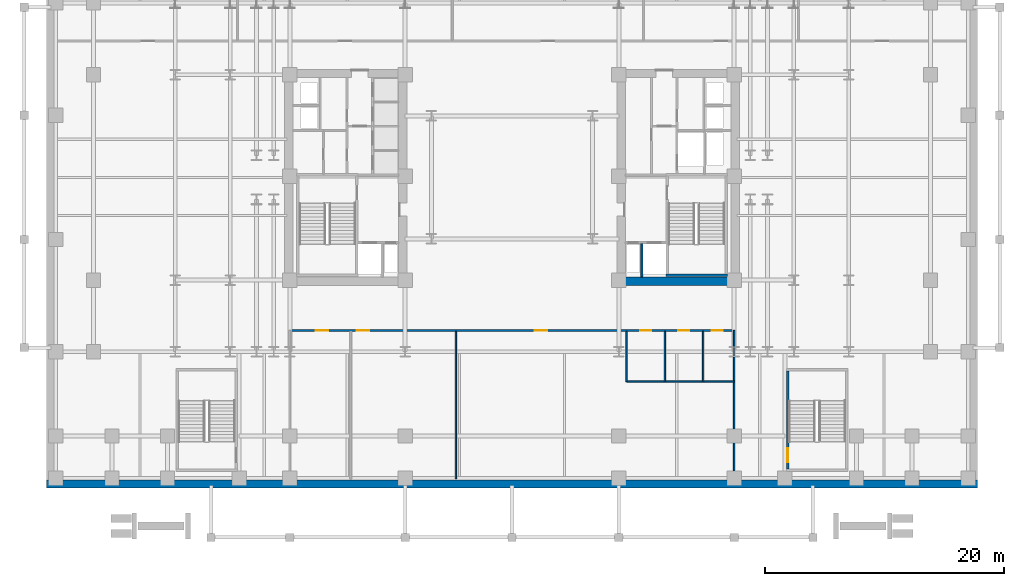
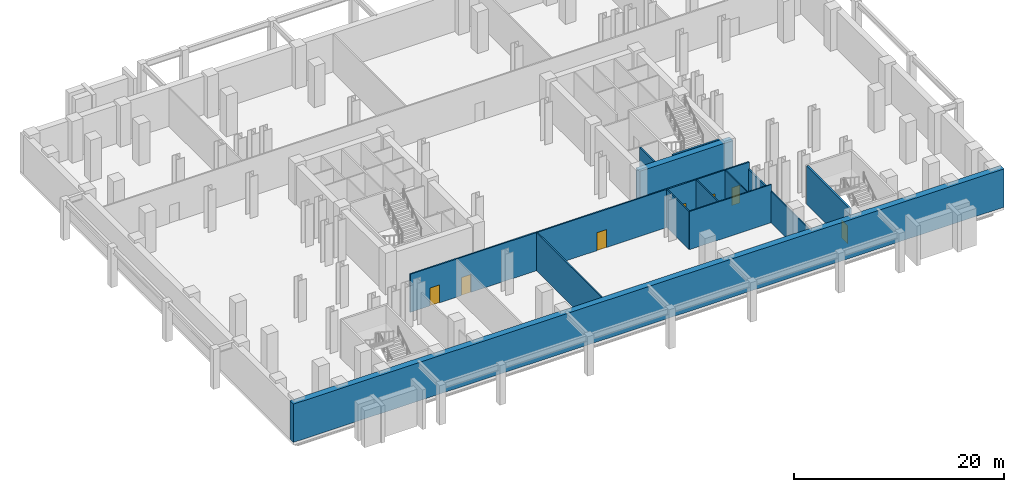
# One storey, part 7 of 13: 12 walls, 7 doors, 7 openings.
"""IFC4 building model written with IfcOpenShell, lengths in metres."""

from ifc_helpers import new_model, si_unit, direction, frame, frame_2d, origin, place, context, subcontext, project, spatial, rectangle, extrude, material, layer, layer_set, type_object, element, fill, save


model = new_model("IFC4")

# Units and contexts
model_context = context("Model", 3, precision=1e-05, world=origin(), true_north=direction((0.0, 1.0)))
body_context = subcontext(model_context, "Body", "Model", "MODEL_VIEW")
ifc_project = project(units=[si_unit("LENGTHUNIT", "METRE"), si_unit("AREAUNIT", "SQUARE_METRE"), si_unit("VOLUMEUNIT", "CUBIC_METRE"), si_unit("PLANEANGLEUNIT", "RADIAN"), si_unit("MASSUNIT", "GRAM", prefix="KILO")], contexts=[model_context])

# Site, building, storey
site_placement = place(None, origin())
site = spatial("IfcSite", under=ifc_project, at=site_placement, CompositionType="ELEMENT")
building_placement = place(site_placement, origin())
building = spatial("IfcBuilding", under=site, at=building_placement, Name="Velakula Bourse", CompositionType="ELEMENT")
storey_placement = place(building_placement, frame((0.0, 0.0, -4.800048828125)))
storey = spatial("IfcBuildingStorey", under=building, at=storey_placement, Name="B01", CompositionType="ELEMENT", Elevation=-4.800048828125)

# Wall
ifc_material_1 = material(Name="Concrete M50 (fck 50 MPa)", Category="concrete")
ifc_layer_1 = layer(ifc_material_1, 0.2099609375, Name="Concrete M50 (fck 50 MPa)", Category="concrete")
ifc_layer_set_1 = layer_set([ifc_layer_1], Name="Concrete M50 (fck 50 MPa)")
wall_type_1 = type_object("IfcWallType", Name="WL-CORE-210", PredefinedType="SHEAR", material=ifc_layer_set_1)
wall_1_placement = place(storey_placement, frame((12.889892578125, -8.205078125, 0.0), z_axis=(0.0, 0.0, 1.0), x_axis=(1.0, 0.0, 0.0)))
element("IfcWall", 1, at=wall_1_placement, inside=storey, type_object=wall_type_1, Name="B01 Core E Stairwell Shear Wall S", PredefinedType="SHEAR", context=body_context, shape_type="SweptSolid", body=[
    extrude(rectangle(XDim=5.14013671875, YDim=0.2099609375, at=frame_2d((2.570068359375, 0.0))), origin(), (0.0, 0.0, 1.0), 4.449951171875),
])

# Wall, opening, door
wall_2_placement = place(storey_placement, frame((23.094970703125, -24.39990234375, 0.0), z_axis=(0.0, 0.0, 1.0), x_axis=(0.0, 1.0, 0.0)))
wall_2 = element("IfcWall", 2, at=wall_2_placement, inside=storey, type_object=wall_type_1, Name="B01 Podium Stair ST-P2 Shear Wall W", PredefinedType="SHEAR", context=body_context, shape_type="SweptSolid", body=[
    extrude(rectangle(XDim=8.199951171875, YDim=0.2099609375, at=frame_2d((4.10009765625, 0.0))), origin(), (0.0, 0.0, 1.0), 4.449951171875),
])
opening_1_placement = place(wall_2_placement, frame((0.550048828125, 0.0, 0.0)))
opening_1 = element("IfcOpeningElement", 3, at=opening_1_placement, cuts=wall_2, Name="Opening D-P2", PredefinedType="OPENING", context=body_context, shape_type="SweptSolid", body=[
    extrude(rectangle(XDim=1.14990234375, YDim=2.10009765625, at=frame_2d((0.574951171875, 1.050048828125))), frame((0.0, 0.114990234375, 0.0), z_axis=(0.0, -1.0, 0.0), x_axis=(1.0, 0.0, 0.0)), (0.0, 0.0, 1.0), 0.22998046875),
])
ifc_material_2 = material(Name="Galvanised painted hollow steel fire door", Category="steel")
door_type_1 = type_object("IfcDoorType", Name="DR-FD120-1150x2100", OperationType="NOTDEFINED", PredefinedType="DOOR", material=ifc_material_2)
door_1_placement = place(opening_1_placement, origin())
door_1 = element("IfcDoor", 4, at=door_1_placement, inside=storey, type_object=door_type_1, Name="B01 Stair ST-P2 Fire Door", OperationType="SINGLE_SWING_RIGHT", OverallHeight=2.10009765625, OverallWidth=1.14990234375, PredefinedType="DOOR", context=body_context, shape_type="SweptSolid", body=[
    extrude(rectangle(XDim=1.14990234375, YDim=2.10009765625, at=frame_2d((0.574951171875, 1.050048828125))), frame((0.0, 0.02490234375, 0.0), z_axis=(0.0, -1.0, 0.0), x_axis=(1.0, 0.0, 0.0)), (0.0, 0.0, 1.0), 0.050048828125),
])
fill(opening_1, door_1)

# Walls
ifc_material_3 = material(Name="Concrete M70 (fck 70 MPa)", Category="concrete")
ifc_layer_2 = layer(ifc_material_3, 0.699951171875, Name="Concrete M70 (fck 70 MPa)", Category="concrete")
ifc_layer_set_2 = layer_set([ifc_layer_2], Name="Concrete M70 (fck 70 MPa)")
wall_type_2 = type_object("IfcWallType", Name="WL-CORE-700", PredefinedType="SHEAR", material=ifc_layer_set_2)
wall_3_placement = place(storey_placement, frame((8.800048828125, -8.699951171875, 0.0), z_axis=(0.0, 0.0, 1.0), x_axis=(1.0, 0.0, 0.0)))
element("IfcWall", 5, at=wall_3_placement, inside=storey, type_object=wall_type_2, Name="B01 Core E Shear Wall S", PredefinedType="SHEAR", context=body_context, shape_type="SweptSolid", body=[
    extrude(rectangle(XDim=10.25, YDim=0.699951171875, at=frame_2d((5.125, 0.0))), origin(), (0.0, 0.0, 1.0), 4.449951171875),
])
ifc_material_4 = material(Name="Fire-rated double-layer gypsum drywall partition", Category="gypsum")
ifc_layer_3 = layer(ifc_material_4, 0.139892578125, Name="Fire-rated double-layer gypsum drywall partition", Category="gypsum")
ifc_layer_set_3 = layer_set([ifc_layer_3], Name="Fire-rated double-layer gypsum drywall partition")
wall_type_3 = type_object("IfcWallType", Name="WL-PART-140", PredefinedType="STANDARD", material=ifc_layer_set_3)
wall_4_placement = place(storey_placement, frame((18.60009765625, -25.239990234375, 0.0), z_axis=(0.0, 0.0, 1.0), x_axis=(0.0, 1.0, 0.0)))
element("IfcWall", 6, at=wall_4_placement, inside=storey, type_object=wall_type_3, Name="B01 Interior Partition WL-POD-B01-SE-END", PredefinedType="STANDARD", context=body_context, shape_type="SweptSolid", body=[
    extrude(rectangle(XDim=12.419921875, YDim=0.139892578125, at=frame_2d((6.2099609375, 0.0))), origin(), (0.0, 0.0, 1.0), 3.625),
])

# Wall, openings, doors
wall_5_placement = place(storey_placement, frame((-18.60009765625, -12.820068359375, 0.0), z_axis=(0.0, 0.0, 1.0), x_axis=(1.0, 0.0, 0.0)))
wall_5 = element("IfcWall", 7, at=wall_5_placement, inside=storey, type_object=wall_type_3, Name="B01 Interior Partition WL-POD-B01-S-CORR", PredefinedType="STANDARD", context=body_context, shape_type="SweptSolid", body=[
    extrude(rectangle(XDim=37.2001953125, YDim=0.14990234375, at=frame_2d((18.60009765625, 0.0))), origin(), (0.0, 0.0, 1.0), 4.429931640625),
])
opening_2_placement = place(wall_5_placement, frame((29.340087890625, 0.0, 0.0)))
opening_2 = element("IfcOpeningElement", 8, at=opening_2_placement, cuts=wall_5, Name="Opening D-WT1", PredefinedType="OPENING", context=body_context, shape_type="SweptSolid", body=[
    extrude(rectangle(XDim=0.919921875, YDim=2.080078125, at=frame_2d((0.4599609375, 1.0400390625))), frame((0.0, 0.0849609375, 0.0), z_axis=(0.0, -1.0, 0.0), x_axis=(1.0, 0.0, 0.0)), (0.0, 0.0, 1.0), 0.169921875),
])
opening_3_placement = place(wall_5_placement, frame((32.5400390625, 0.0, 0.0)))
opening_3 = element("IfcOpeningElement", 9, at=opening_3_placement, cuts=wall_5, Name="Opening D-WT1", PredefinedType="OPENING", context=body_context, shape_type="SweptSolid", body=[
    extrude(rectangle(XDim=0.919921875, YDim=2.080078125, at=frame_2d((0.4599609375, 1.0400390625))), frame((0.0, 0.0849609375, 0.0), z_axis=(0.0, -1.0, 0.0), x_axis=(1.0, 0.0, 0.0)), (0.0, 0.0, 1.0), 0.169921875),
])
opening_4_placement = place(wall_5_placement, frame((35.31396484375, 0.0, 0.0)))
opening_4 = element("IfcOpeningElement", 10, at=opening_4_placement, cuts=wall_5, Name="Opening D-WC1", PredefinedType="OPENING", context=body_context, shape_type="SweptSolid", body=[
    extrude(rectangle(XDim=0.919921875, YDim=2.080078125, at=frame_2d((0.4599609375, 1.0400390625))), frame((0.0, 0.0849609375, 0.0), z_axis=(0.0, -1.0, 0.0), x_axis=(1.0, 0.0, 0.0)), (0.0, 0.0, 1.0), 0.169921875),
])
opening_5_placement = place(wall_5_placement, frame((2.15087890625, 0.0, 0.0)))
opening_5 = element("IfcOpeningElement", 11, at=opening_5_placement, cuts=wall_5, Name="Opening D-PD2", PredefinedType="OPENING", context=body_context, shape_type="SweptSolid", body=[
    extrude(rectangle(XDim=1.050048828125, YDim=2.080078125, at=frame_2d((0.52490234375, 1.0400390625))), frame((0.0, 0.0849609375, 0.0), z_axis=(0.0, -1.0, 0.0), x_axis=(1.0, 0.0, 0.0)), (0.0, 0.0, 1.0), 0.169921875),
])
opening_6_placement = place(wall_5_placement, frame((5.60302734375, 0.0, 0.0)))
opening_6 = element("IfcOpeningElement", 12, at=opening_6_placement, cuts=wall_5, Name="Opening D-PD2", PredefinedType="OPENING", context=body_context, shape_type="SweptSolid", body=[
    extrude(rectangle(XDim=1.050048828125, YDim=2.080078125, at=frame_2d((0.52490234375, 1.0400390625))), frame((0.0, 0.0849609375, 0.0), z_axis=(0.0, -1.0, 0.0), x_axis=(1.0, 0.0, 0.0)), (0.0, 0.0, 1.0), 0.169921875),
])
opening_7_placement = place(wall_5_placement, frame((20.4951171875, 0.0, 0.0)))
opening_7 = element("IfcOpeningElement", 13, at=opening_7_placement, cuts=wall_5, Name="Opening D-PD2", PredefinedType="OPENING", context=body_context, shape_type="SweptSolid", body=[
    extrude(rectangle(XDim=1.050048828125, YDim=2.080078125, at=frame_2d((0.52490234375, 1.0400390625))), frame((0.0, 0.0849609375, 0.0), z_axis=(0.0, -1.0, 0.0), x_axis=(1.0, 0.0, 0.0)), (0.0, 0.0, 1.0), 0.169921875),
])
ifc_material_5 = material(Name="Fire-rated hardwood flush architectural door", Category="wood")
door_type_2 = type_object("IfcDoorType", Name="DR-OFF-1050", OperationType="NOTDEFINED", PredefinedType="DOOR", material=ifc_material_5)
door_2_placement = place(opening_5_placement, origin())
door_2 = element("IfcDoor", 14, at=door_2_placement, inside=storey, type_object=door_type_2, Name="B01 Metro Unpaid Fare-Gate Foyer Door", OperationType="SINGLE_SWING_LEFT", OverallHeight=2.080078125, OverallWidth=1.050048828125, PredefinedType="DOOR", context=body_context, shape_type="SweptSolid", body=[
    extrude(rectangle(XDim=1.050048828125, YDim=2.080078125, at=frame_2d((0.52490234375, 1.0400390625))), frame((0.0, 0.02490234375, 0.0), z_axis=(0.0, -1.0, 0.0), x_axis=(1.0, 0.0, 0.0)), (0.0, 0.0, 1.0), 0.050048828125),
])
fill(opening_5, door_2)
door_3_placement = place(opening_6_placement, origin())
door_3 = element("IfcDoor", 15, at=door_3_placement, inside=storey, type_object=door_type_2, Name="B01 Transit Customer Service Office Door", OperationType="SINGLE_SWING_RIGHT", OverallHeight=2.080078125, OverallWidth=1.050048828125, PredefinedType="DOOR", context=body_context, shape_type="SweptSolid", body=[
    extrude(rectangle(XDim=1.050048828125, YDim=2.080078125, at=frame_2d((0.52490234375, 1.0400390625))), frame((0.0, 0.02490234375, 0.0), z_axis=(0.0, -1.0, 0.0), x_axis=(1.0, 0.0, 0.0)), (0.0, 0.0, 1.0), 0.050048828125),
])
fill(opening_6, door_3)
door_4_placement = place(opening_7_placement, origin())
door_4 = element("IfcDoor", 16, at=door_4_placement, inside=storey, type_object=door_type_2, Name="B01 Station MEP Switchroom Door", OperationType="SINGLE_SWING_LEFT", OverallHeight=2.080078125, OverallWidth=1.050048828125, PredefinedType="DOOR", context=body_context, shape_type="SweptSolid", body=[
    extrude(rectangle(XDim=1.050048828125, YDim=2.080078125, at=frame_2d((0.52490234375, 1.0400390625))), frame((0.0, 0.02490234375, 0.0), z_axis=(0.0, -1.0, 0.0), x_axis=(1.0, 0.0, 0.0)), (0.0, 0.0, 1.0), 0.050048828125),
])
fill(opening_7, door_4)
door_type_3 = type_object("IfcDoorType", Name="DR-WC-950", OperationType="NOTDEFINED", PredefinedType="DOOR", material=ifc_material_5)
door_5_placement = place(opening_2_placement, origin())
door_5 = element("IfcDoor", 17, at=door_5_placement, inside=storey, type_object=door_type_3, Name="B01 Male Public Toilet Door", OperationType="SINGLE_SWING_RIGHT", OverallHeight=2.080078125, OverallWidth=0.919921875, PredefinedType="DOOR", context=body_context, shape_type="SweptSolid", body=[
    extrude(rectangle(XDim=0.919921875, YDim=2.080078125, at=frame_2d((0.4599609375, 1.0400390625))), frame((0.0, 0.02490234375, 0.0), z_axis=(0.0, -1.0, 0.0), x_axis=(1.0, 0.0, 0.0)), (0.0, 0.0, 1.0), 0.050048828125),
])
fill(opening_2, door_5)
door_6_placement = place(opening_3_placement, origin())
door_6 = element("IfcDoor", 18, at=door_6_placement, inside=storey, type_object=door_type_3, Name="B01 Female Public Toilet Door", OperationType="SINGLE_SWING_LEFT", OverallHeight=2.080078125, OverallWidth=0.919921875, PredefinedType="DOOR", context=body_context, shape_type="SweptSolid", body=[
    extrude(rectangle(XDim=0.919921875, YDim=2.080078125, at=frame_2d((0.4599609375, 1.0400390625))), frame((0.0, 0.02490234375, 0.0), z_axis=(0.0, -1.0, 0.0), x_axis=(1.0, 0.0, 0.0)), (0.0, 0.0, 1.0), 0.050048828125),
])
fill(opening_3, door_6)
door_7_placement = place(opening_4_placement, origin())
door_7 = element("IfcDoor", 19, at=door_7_placement, inside=storey, type_object=door_type_3, Name="B01 Accessible WC Door", OperationType="SINGLE_SWING_RIGHT", OverallHeight=2.080078125, OverallWidth=0.919921875, PredefinedType="DOOR", context=body_context, shape_type="SweptSolid", body=[
    extrude(rectangle(XDim=0.919921875, YDim=2.080078125, at=frame_2d((0.4599609375, 1.0400390625))), frame((0.0, 0.02490234375, 0.0), z_axis=(0.0, -1.0, 0.0), x_axis=(1.0, 0.0, 0.0)), (0.0, 0.0, 1.0), 0.050048828125),
])
fill(opening_4, door_7)

# Walls
wall_6_placement = place(storey_placement, frame((9.60009765625, -17.10009765625, 0.0), z_axis=(0.0, 0.0, 1.0), x_axis=(1.0, 0.0, 0.0)))
element("IfcWall", 20, at=wall_6_placement, inside=storey, type_object=wall_type_3, Name="B01 Interior Partition WL-POD-B01-WC-BACK", PredefinedType="STANDARD", context=body_context, shape_type="SweptSolid", body=[
    extrude(rectangle(XDim=9.0, YDim=0.1201171875, at=frame_2d((4.5, 0.0))), origin(), (0.0, 0.0, 1.0), 4.429931640625),
])
for number, where, z_axis, x_axis, name in (
    (21, (9.60009765625, -17.10009765625, 0.0), (0.0, 0.0, 1.0), (0.0, 1.0, 0.0), "B01 Interior Partition WL-POD-B01-WC-V1"),
    (22, (12.800048828125, -17.10009765625, 0.0), (0.0, 0.0, 1.0), (0.0, 1.0, 0.0), "B01 Interior Partition WL-POD-B01-WC-V2"),
    (23, (16.0, -17.10009765625, 0.0), (0.0, 0.0, 1.0), (0.0, 1.0, 0.0), "B01 Interior Partition WL-POD-B01-WC-V3"),
):
    element("IfcWall", number, at=place(storey_placement, frame(where, z_axis=z_axis, x_axis=x_axis)), inside=storey, type_object=wall_type_3, Name=name, PredefinedType="STANDARD", context=body_context, shape_type="SweptSolid", body=[
        extrude(rectangle(XDim=4.210205078125, YDim=0.1201171875, at=frame_2d((2.10498046875, 0.0))), origin(), (0.0, 0.0, 1.0), 4.429931640625),
    ])
wall_7_placement = place(storey_placement, frame((-4.699951171875, -25.239990234375, 0.0), z_axis=(0.0, 0.0, 1.0), x_axis=(0.0, 1.0, 0.0)))
element("IfcWall", 24, at=wall_7_placement, inside=storey, type_object=wall_type_3, Name="B01 Interior Partition WL-POD-B01-SD2", PredefinedType="STANDARD", context=body_context, shape_type="SweptSolid", body=[
    extrude(rectangle(XDim=12.35009765625, YDim=0.139892578125, at=frame_2d((6.175048828125, 0.0))), origin(), (0.0, 0.0, 1.0), 4.429931640625),
])
ifc_layer_4 = layer(ifc_material_3, 0.679931640625, Name="Concrete M70 (fck 70 MPa)", Category="concrete")
ifc_layer_set_4 = layer_set([ifc_layer_4], Name="Concrete M70 (fck 70 MPa)")
wall_type_4 = type_object("IfcWallType", Name="WL-RET-680", PredefinedType="SOLIDWALL", material=ifc_layer_set_4)
wall_8_placement = place(storey_placement, frame((-39.0, -25.659912109375, 0.0), z_axis=(0.0, 0.0, 1.0), x_axis=(1.0, 0.0, 0.0)))
element("IfcWall", 25, at=wall_8_placement, inside=storey, type_object=wall_type_4, Name="B01 Diaphragm Retaining Wall S", PredefinedType="SOLIDWALL", context=body_context, shape_type="SweptSolid", body=[
    extrude(rectangle(XDim=78.0, YDim=0.679931640625, at=frame_2d((39.0, 0.0))), origin(), (0.0, 0.0, 1.0), 4.449951171875),
])
ifc_material_6 = material(Name="Autoclaved aerated concrete blockwork masonry", Category="masonry")
ifc_layer_5 = layer(ifc_material_6, 0.14990234375, Name="Autoclaved aerated concrete blockwork masonry", Category="masonry")
ifc_layer_set_5 = layer_set([ifc_layer_5], Name="Autoclaved aerated concrete blockwork masonry")
wall_type_5 = type_object("IfcWallType", Name="WL-SHAFT-150", PredefinedType="STANDARD", material=ifc_layer_set_5)
wall_9_placement = place(storey_placement, frame((10.875, -8.35009765625, 0.0), z_axis=(0.0, 0.0, 1.0), x_axis=(0.0, 1.0, 0.0)))
element("IfcWall", 26, at=wall_9_placement, inside=storey, type_object=wall_type_5, Name="B01 Interior Partition WL-CRE-B01-FR-DIV", PredefinedType="STANDARD", context=body_context, shape_type="SweptSolid", body=[
    extrude(rectangle(XDim=2.800048828125, YDim=0.14990234375, at=frame_2d((1.39990234375, 0.0))), origin(), (0.0, 0.0, 1.0), 4.429931640625),
])

save(model, "model.ifc")
